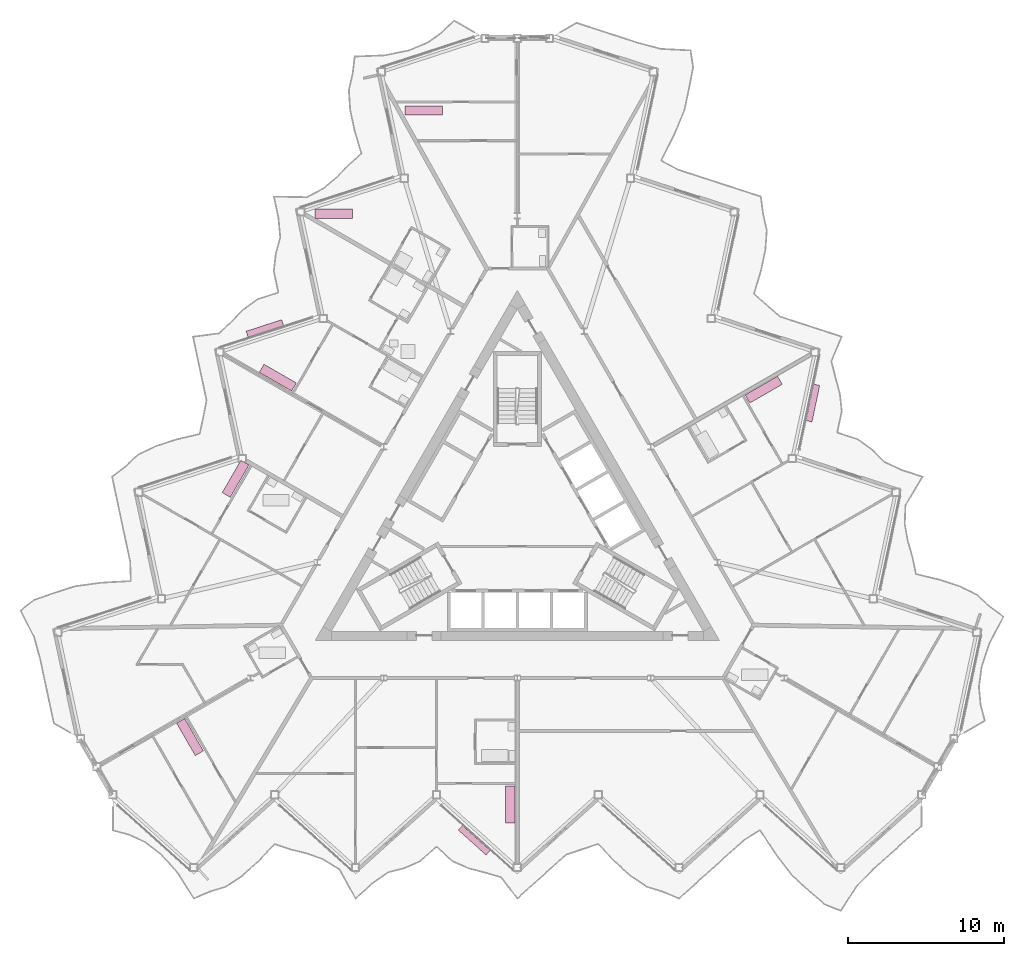
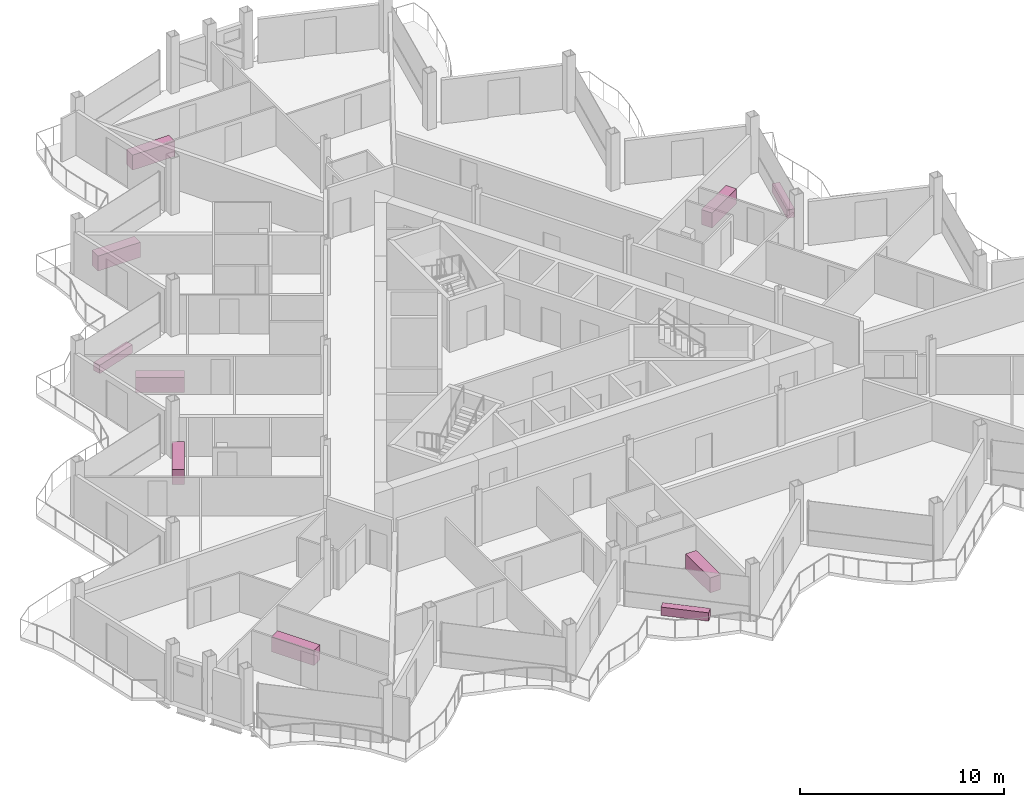
# One storey, part 26 of 26: 10 furniture elements.
"""IFC4 building model written with IfcOpenShell, lengths in metres."""

from ifc_helpers import new_model, si_unit, direction, frame, origin, origin_2d, place, context, subcontext, project, spatial, rectangle, extrude, material, type_object, element, save


model = new_model("IFC4")

# Units and contexts
model_context = context("Model", 3, precision=1e-05, world=origin(), true_north=direction((0.0, 1.0)))
body_context = subcontext(model_context, "Body", "Model", "MODEL_VIEW")
ifc_project = project(units=[si_unit("LENGTHUNIT", "METRE"), si_unit("AREAUNIT", "SQUARE_METRE"), si_unit("VOLUMEUNIT", "CUBIC_METRE"), si_unit("PLANEANGLEUNIT", "RADIAN"), si_unit("MASSUNIT", "GRAM", prefix="KILO")], contexts=[model_context])

# Site, building, storey
site_placement = place(None, origin())
site = spatial("IfcSite", under=ifc_project, at=site_placement, CompositionType="ELEMENT")
building_placement = place(site_placement, origin())
building = spatial("IfcBuilding", under=site, at=building_placement, Name="Cormorant Prow Tower", CompositionType="ELEMENT")
storey_placement = place(building_placement, frame((0.0, 0.0, 381.39990234375)))
storey = spatial("IfcBuildingStorey", under=building, at=storey_placement, Name="L86", CompositionType="ELEMENT", Elevation=381.39990234375)

# Furniture
ifc_material_1 = material(Name="Terracotta", Category="masonry")
furniture_type_1 = type_object("IfcFurnitureType", Name="Balcony planter 2400x400x500", AssemblyPlace="NOTDEFINED", PredefinedType="USERDEFINED", material=ifc_material_1)
for number, where, z_axis, x_axis, name in (
    (1, (-2.767333984375, -20.33642578125, 0.0), (0.0, 0.0, 1.0), (0.743144827638, -0.669130603959, 0.0), "Balcony planter S04"),
    (2, (18.99560546875, 7.771728515625, 0.0), (0.0, 0.0, 1.0), (0.207911756835, 0.978147586701, 0.0), "Balcony planter ENE04"),
    (3, (-16.228271484375, 12.564697265625, 0.0), (0.0, 0.0, 1.0), (-0.951056548553, -0.309016895096, 0.0), "Balcony planter WNW04"),
):
    element("IfcFurniture", number, at=place(storey_placement, frame(where, z_axis=z_axis, x_axis=x_axis)), inside=storey, type_object=furniture_type_1, Name=name, ObjectType="PLANTER", PredefinedType="USERDEFINED", context=body_context, shape_type="SweptSolid", body=[
        extrude(rectangle(XDim=2.39990234375, YDim=0.39990234375, at=origin_2d()), origin(), (0.0, 0.0, 1.0), 0.5),
    ])
ifc_material_2 = material(Name="Timber joinery", Category="wood")
furniture_type_2 = type_object("IfcFurnitureType", Name="Kitchen counter 2400x600", AssemblyPlace="NOTDEFINED", PredefinedType="NOTDEFINED", material=ifc_material_2)
for number, where, z_axis, x_axis, name in (
    (4, (-0.445068359375, -18.0341796875, 0.000244140625), (0.0, 0.0, 1.0), (0.0, -1.0, 0.0), "Kitchen counter"),
    (5, (15.840576171875, 8.631591796875, 0.000244140625), (0.0, 0.0, 1.0), (0.866025403784, 0.5, 0.0), "Kitchen counter"),
    (6, (-6.0068359375, 26.57421875, 0.000244140625), (0.0, 0.0, 1.0), (1.0, 0.0, 0.0), "Kitchen counter"),
    (7, (-11.796142578125, 19.939208984375, 0.000244140625), (0.0, 0.0, 1.0), (1.0, 0.0, 0.0), "Kitchen counter"),
    (8, (-15.3955078125, 9.402587890625, 0.000244140625), (0.0, 0.0, 1.0), (-0.866025403784, 0.5, 0.0), "Kitchen counter"),
    (9, (-18.111083984375, 2.89892578125, 0.000244140625), (0.0, 0.0, 1.0), (-0.5, -0.866025403784, 0.0), "Kitchen counter"),
    (10, (-21.0419921875, -13.701904296875, 0.000244140625), (0.0, 0.0, 1.0), (0.5, -0.866025403784, 0.0), "Kitchen counter"),
):
    element("IfcFurniture", number, at=place(storey_placement, frame(where, z_axis=z_axis, x_axis=x_axis)), inside=storey, type_object=furniture_type_2, Name=name, PredefinedType="NOTDEFINED", context=body_context, shape_type="SweptSolid", body=[
        extrude(rectangle(XDim=2.39990234375, YDim=0.60009765625, at=origin_2d()), origin(), (0.0, 0.0, 1.0), 0.89990234375),
    ])

save(model, "model.ifc")
